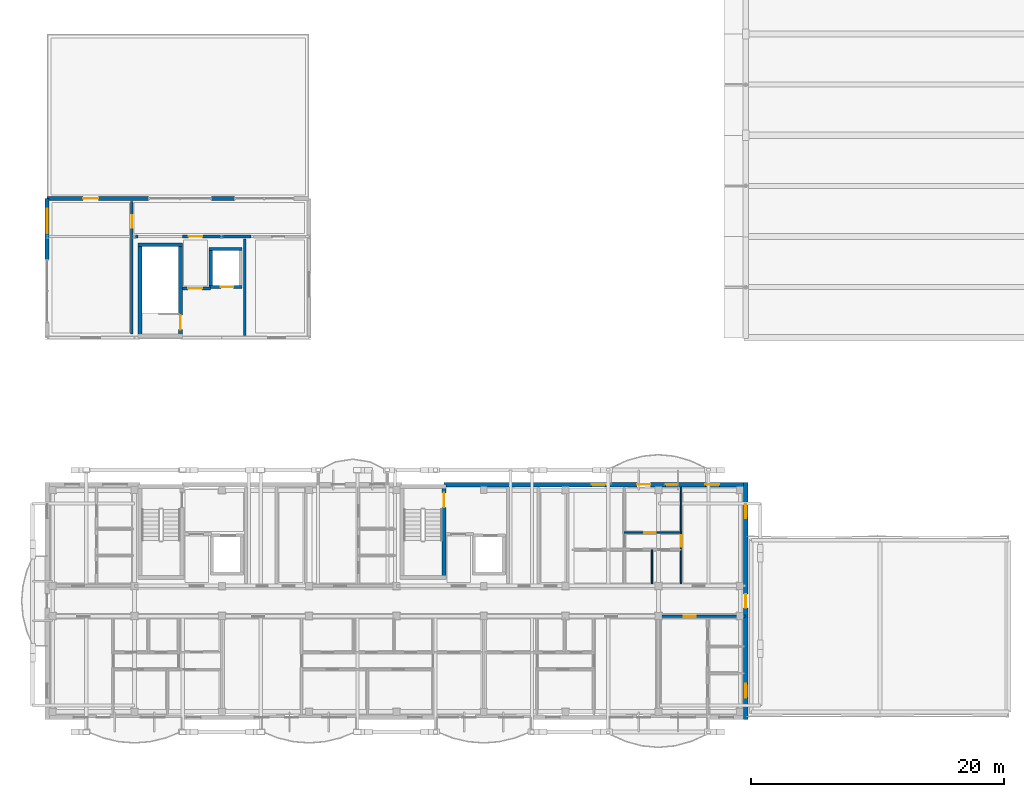
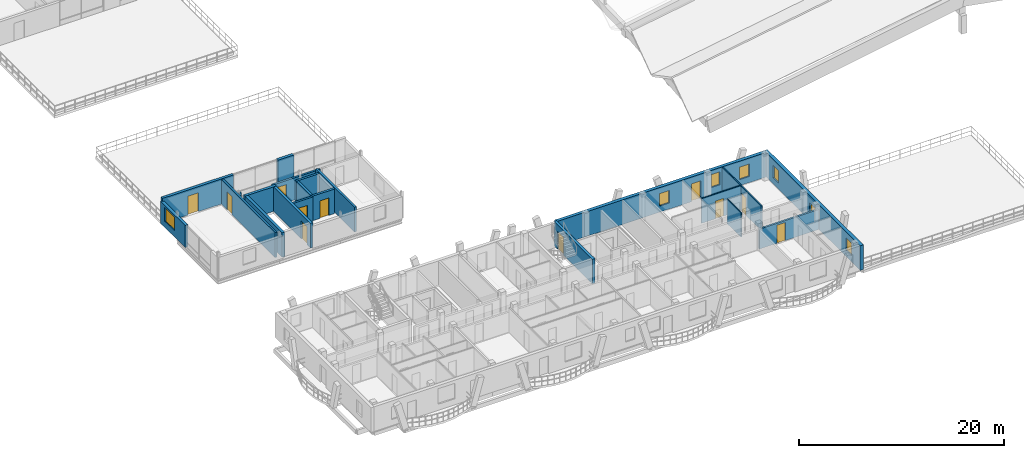
# One storey, part 68 of 109: 21 walls, 12 doors, 6 windows, 18 openings.
"""IFC4 building model written with IfcOpenShell, lengths in metres."""

from ifc_helpers import new_model, si_unit, direction, frame, frame_2d, origin, origin_with_axes, place, context, subcontext, project, spatial, rectangle, extrude, material, layer, layer_set, type_object, element, fill, save


model = new_model("IFC4")

# Units and contexts
model_context = context("Model", 3, precision=1e-05, world=origin(), true_north=direction((0.0, 1.0)))
body_context = subcontext(model_context, "Body", "Model", "MODEL_VIEW")
ifc_project = project(units=[si_unit("LENGTHUNIT", "METRE"), si_unit("AREAUNIT", "SQUARE_METRE"), si_unit("VOLUMEUNIT", "CUBIC_METRE"), si_unit("PLANEANGLEUNIT", "RADIAN"), si_unit("MASSUNIT", "GRAM", prefix="KILO")], contexts=[model_context])

# Site, building, storey
site_placement = place(None, origin())
site = spatial("IfcSite", under=ifc_project, at=site_placement, CompositionType="ELEMENT")
building_placement = place(site_placement, origin())
building = spatial("IfcBuilding", under=site, at=building_placement, Name="Zavelmont Quarter", CompositionType="ELEMENT")
storey_placement = place(building_placement, frame((0.0, 0.0, 8.0)))
storey = spatial("IfcBuildingStorey", under=building, at=storey_placement, Name="L02", CompositionType="ELEMENT", Elevation=8.0)

# Wall, openings, door, windows
ifc_material_1 = material(Name="Natural Belgian limestone", Category="masonry")
ifc_layer_1 = layer(ifc_material_1, 0.360107421875)
ifc_layer_set_1 = layer_set([ifc_layer_1], Name="Natural Belgian limestone")
wall_type_1 = type_object("IfcWallType", Name="EW02", PredefinedType="STANDARD", material=ifc_layer_set_1)
wall_1_placement = place(storey_placement, frame((31.35009765625, 18.39990234375, 0.0), z_axis=(0.0, 0.0, 1.0), x_axis=(1.0, 0.0, 0.0)))
wall_1 = element("IfcWall", 1, at=wall_1_placement, inside=storey, type_object=wall_type_1, Name="L02 exterior limestone wall EW02", PredefinedType="STANDARD", context=body_context, shape_type="SweptSolid", body=[
    extrude(rectangle(XDim=23.679931640625, YDim=0.360107421875, at=frame_2d((11.83984375, 0.0))), origin(), (0.0, 0.0, 1.0), 2.93994140625),
])
opening_1_placement = place(wall_1_placement, frame((15.27001953125, 0.0, 0.0)))
opening_1 = element("IfcOpeningElement", 2, at=opening_1_placement, cuts=wall_1, Name="Opening DR04A", PredefinedType="OPENING", context=body_context, shape_type="SweptSolid", body=[
    extrude(rectangle(XDim=1.050048828125, YDim=2.1201171875, at=frame_2d((0.52490234375, 1.06005859375))), frame((0.0, 0.19189453125, 0.0), z_axis=(0.0, -1.0, 0.0), x_axis=(1.0, 0.0, 0.0)), (0.0, 0.0, 1.0), 0.384033203125),
])
opening_2_placement = place(wall_1_placement, frame((11.669921875, 0.0, 0.719970703125)))
opening_2 = element("IfcOpeningElement", 3, at=opening_2_placement, cuts=wall_1, Name="Opening WN09", PredefinedType="OPENING", context=body_context, shape_type="SweptSolid", body=[
    extrude(rectangle(XDim=1.10009765625, YDim=1.5, at=frame_2d((0.550048828125, 0.75))), frame((0.0, 0.19189453125, 0.0), z_axis=(0.0, -1.0, 0.0), x_axis=(1.0, 0.0, 0.0)), (0.0, 0.0, 1.0), 0.384033203125),
])
opening_3_placement = place(wall_1_placement, frame((17.52001953125, 0.0, 0.89990234375)))
opening_3 = element("IfcOpeningElement", 4, at=opening_3_placement, cuts=wall_1, Name="Opening WN04", PredefinedType="OPENING", context=body_context, shape_type="SweptSolid", body=[
    extrude(rectangle(XDim=0.949951171875, YDim=1.550048828125, at=frame_2d((0.47509765625, 0.77490234375))), frame((0.0, 0.19189453125, 0.0), z_axis=(0.0, -1.0, 0.0), x_axis=(1.0, 0.0, 0.0)), (0.0, 0.0, 1.0), 0.384033203125),
])
opening_4_placement = place(wall_1_placement, frame((20.669921875, 0.0, 0.719970703125)))
opening_4 = element("IfcOpeningElement", 5, at=opening_4_placement, cuts=wall_1, Name="Opening WN09", PredefinedType="OPENING", context=body_context, shape_type="SweptSolid", body=[
    extrude(rectangle(XDim=1.10009765625, YDim=1.5, at=frame_2d((0.550048828125, 0.75))), frame((0.0, 0.19189453125, 0.0), z_axis=(0.0, -1.0, 0.0), x_axis=(1.0, 0.0, 0.0)), (0.0, 0.0, 1.0), 0.384033203125),
])
ifc_material_2 = material(Name="Thermally broken aluminium and double safety glass", Category="aluminium")
door_type_1 = type_object("IfcDoorType", Name="DR04A", OperationType="NOTDEFINED", PredefinedType="DOOR", material=ifc_material_2)
door_1_placement = place(opening_1_placement, frame((1.050048828125, 0.0, 0.0), z_axis=(0.0, 0.0, 1.0), x_axis=(-1.0, 0.0, 0.0)))
door_1 = element("IfcDoor", 6, at=door_1_placement, inside=storey, type_object=door_type_1, Name="Block A L02 glazed balcony door", OperationType="SINGLE_SWING_LEFT", OverallHeight=2.1201171875, OverallWidth=1.050048828125, PredefinedType="DOOR", context=body_context, shape_type="SweptSolid", body=[
    extrude(rectangle(XDim=1.050048828125, YDim=2.1201171875, at=frame_2d((0.52490234375, 1.06005859375))), frame((0.0, 0.02490234375, 0.0), z_axis=(0.0, -1.0, 0.0), x_axis=(1.0, 0.0, 0.0)), (0.0, 0.0, 1.0), 0.050048828125),
])
fill(opening_1, door_1)
ifc_material_3 = material(Name="Double low-E insulated glazing in thermally broken aluminium frame", Category="aluminium")
window_type_1 = type_object("IfcWindowType", Name="WN04", PartitioningType="SINGLE_PANEL", PredefinedType="WINDOW", material=ifc_material_3)
window_1_placement = place(opening_3_placement, origin_with_axes())
window_1 = element("IfcWindow", 7, at=window_1_placement, inside=storey, type_object=window_type_1, Name="L02 window WN04", OverallHeight=1.550048828125, OverallWidth=0.949951171875, PartitioningType="SINGLE_PANEL", PredefinedType="WINDOW", context=body_context, shape_type="SweptSolid", body=[
    extrude(rectangle(XDim=0.949951171875, YDim=1.550048828125, at=frame_2d((0.47509765625, 0.77490234375))), frame((0.0, 0.030029296875, 0.0), z_axis=(0.0, -1.0, 0.0), x_axis=(1.0, 0.0, 0.0)), (0.0, 0.0, 1.0), 0.06005859375),
])
fill(opening_3, window_1)
window_type_2 = type_object("IfcWindowType", Name="WN09", PartitioningType="SINGLE_PANEL", PredefinedType="WINDOW", material=ifc_material_3)
window_2_placement = place(opening_2_placement, origin_with_axes())
window_2 = element("IfcWindow", 8, at=window_2_placement, inside=storey, type_object=window_type_2, Name="L02 window WN09", OverallHeight=1.5, OverallWidth=1.10009765625, PartitioningType="SINGLE_PANEL", PredefinedType="WINDOW", context=body_context, shape_type="SweptSolid", body=[
    extrude(rectangle(XDim=1.10009765625, YDim=1.5, at=frame_2d((0.550048828125, 0.75))), frame((0.0, 0.030029296875, 0.0), z_axis=(0.0, -1.0, 0.0), x_axis=(1.0, 0.0, 0.0)), (0.0, 0.0, 1.0), 0.06005859375),
])
fill(opening_2, window_2)
window_3_placement = place(opening_4_placement, origin_with_axes())
window_3 = element("IfcWindow", 9, at=window_3_placement, inside=storey, type_object=window_type_2, Name="L02 window WN09", OverallHeight=1.5, OverallWidth=1.10009765625, PartitioningType="SINGLE_PANEL", PredefinedType="WINDOW", context=body_context, shape_type="SweptSolid", body=[
    extrude(rectangle(XDim=1.10009765625, YDim=1.5, at=frame_2d((0.550048828125, 0.75))), frame((0.0, 0.030029296875, 0.0), z_axis=(0.0, -1.0, 0.0), x_axis=(1.0, 0.0, 0.0)), (0.0, 0.0, 1.0), 0.06005859375),
])
fill(opening_4, window_3)

wall_2_placement = place(storey_placement, frame((55.199951171875, -0.179931640625, 0.0), z_axis=(0.0, 0.0, 1.0), x_axis=(0.0, 1.0, 0.0)))
wall_2 = element("IfcWall", 10, at=wall_2_placement, inside=storey, type_object=wall_type_1, Name="L02 exterior limestone wall EW02", PredefinedType="STANDARD", context=body_context, shape_type="SweptSolid", body=[
    extrude(rectangle(XDim=18.760009765625, YDim=0.360107421875, at=frame_2d((9.3798828125, 0.0))), origin(), (0.0, 0.0, 1.0), 2.93994140625),
])
opening_5_placement = place(wall_2_placement, frame((8.830078125, 0.0, 0.0)))
opening_5 = element("IfcOpeningElement", 11, at=opening_5_placement, cuts=wall_2, Name="Opening DR04B", PredefinedType="OPENING", context=body_context, shape_type="SweptSolid", body=[
    extrude(rectangle(XDim=1.10009765625, YDim=2.10009765625, at=frame_2d((0.550048828125, 1.050048828125))), frame((0.0, 0.19189453125, 0.0), z_axis=(0.0, -1.0, 0.0), x_axis=(1.0, 0.0, 0.0)), (0.0, 0.0, 1.0), 0.384033203125),
])
opening_6_placement = place(wall_2_placement, frame((1.72998046875, 0.0, 0.719970703125)))
opening_6 = element("IfcOpeningElement", 12, at=opening_6_placement, cuts=wall_2, Name="Opening WN09", PredefinedType="OPENING", context=body_context, shape_type="SweptSolid", body=[
    extrude(rectangle(XDim=1.10009765625, YDim=1.5, at=frame_2d((0.550048828125, 0.75))), frame((0.0, 0.19189453125, 0.0), z_axis=(0.0, -1.0, 0.0), x_axis=(1.0, 0.0, 0.0)), (0.0, 0.0, 1.0), 0.384033203125),
])
opening_7_placement = place(wall_2_placement, frame((15.929931640625, 0.0, 0.719970703125)))
opening_7 = element("IfcOpeningElement", 13, at=opening_7_placement, cuts=wall_2, Name="Opening WN09", PredefinedType="OPENING", context=body_context, shape_type="SweptSolid", body=[
    extrude(rectangle(XDim=1.10009765625, YDim=1.5, at=frame_2d((0.550048828125, 0.75))), frame((0.0, 0.19189453125, 0.0), z_axis=(0.0, -1.0, 0.0), x_axis=(1.0, 0.0, 0.0)), (0.0, 0.0, 1.0), 0.384033203125),
])
door_type_2 = type_object("IfcDoorType", Name="DR04B", OperationType="NOTDEFINED", PredefinedType="DOOR", material=ifc_material_2)
door_2_placement = place(opening_5_placement, origin_with_axes())
door_2 = element("IfcDoor", 14, at=door_2_placement, inside=storey, type_object=door_type_2, Name="Block A L02 street arcade link door", OperationType="SINGLE_SWING_LEFT", OverallHeight=2.10009765625, OverallWidth=1.10009765625, PredefinedType="DOOR", context=body_context, shape_type="SweptSolid", body=[
    extrude(rectangle(XDim=1.10009765625, YDim=2.10009765625, at=frame_2d((0.550048828125, 1.050048828125))), frame((0.0, 0.02490234375, 0.0), z_axis=(0.0, -1.0, 0.0), x_axis=(1.0, 0.0, 0.0)), (0.0, 0.0, 1.0), 0.050048828125),
])
fill(opening_5, door_2)
window_4_placement = place(opening_6_placement, origin_with_axes())
window_4 = element("IfcWindow", 15, at=window_4_placement, inside=storey, type_object=window_type_2, Name="L02 window WN09", OverallHeight=1.5, OverallWidth=1.10009765625, PartitioningType="SINGLE_PANEL", PredefinedType="WINDOW", context=body_context, shape_type="SweptSolid", body=[
    extrude(rectangle(XDim=1.10009765625, YDim=1.5, at=frame_2d((0.550048828125, 0.75))), frame((0.0, 0.030029296875, 0.0), z_axis=(0.0, -1.0, 0.0), x_axis=(1.0, 0.0, 0.0)), (0.0, 0.0, 1.0), 0.06005859375),
])
fill(opening_6, window_4)
window_5_placement = place(opening_7_placement, origin_with_axes())
window_5 = element("IfcWindow", 16, at=window_5_placement, inside=storey, type_object=window_type_2, Name="L02 window WN09", OverallHeight=1.5, OverallWidth=1.10009765625, PartitioningType="SINGLE_PANEL", PredefinedType="WINDOW", context=body_context, shape_type="SweptSolid", body=[
    extrude(rectangle(XDim=1.10009765625, YDim=1.5, at=frame_2d((0.550048828125, 0.75))), frame((0.0, 0.030029296875, 0.0), z_axis=(0.0, -1.0, 0.0), x_axis=(1.0, 0.0, 0.0)), (0.0, 0.0, 1.0), 0.06005859375),
])
fill(opening_7, window_5)

# Wall, opening, door
ifc_layer_2 = layer(ifc_material_1, 0.31005859375)
ifc_layer_set_2 = layer_set([ifc_layer_2], Name="Natural Belgian limestone")
wall_type_2 = type_object("IfcWallType", Name="EW06", PredefinedType="STANDARD", material=ifc_layer_set_2)
wall_3_placement = place(storey_placement, frame((0.0, 41.0, 0.0), z_axis=(0.0, 0.0, 1.0), x_axis=(1.0, 0.0, 0.0)))
wall_3 = element("IfcWall", 17, at=wall_3_placement, inside=storey, type_object=wall_type_2, Name="L02 exterior limestone wall EW06", PredefinedType="STANDARD", context=body_context, shape_type="SweptSolid", body=[
    extrude(rectangle(XDim=8.0, YDim=0.31005859375, at=frame_2d((4.0, 0.0))), origin(), (0.0, 0.0, 1.0), 2.989990234375),
])
opening_8_placement = place(wall_3_placement, frame((2.85009765625, 0.0, 0.0)))
opening_8 = element("IfcOpeningElement", 18, at=opening_8_placement, cuts=wall_3, Name="Opening DR04C", PredefinedType="OPENING", context=body_context, shape_type="SweptSolid", body=[
    extrude(rectangle(XDim=1.199951171875, YDim=2.25, at=frame_2d((0.60009765625, 1.125))), frame((0.0, 0.1669921875, 0.0), z_axis=(0.0, -1.0, 0.0), x_axis=(1.0, 0.0, 0.0)), (0.0, 0.0, 1.0), 0.333984375),
])
door_type_3 = type_object("IfcDoorType", Name="DR04C", OperationType="NOTDEFINED", PredefinedType="DOOR", material=ifc_material_2)
door_3_placement = place(opening_8_placement, origin_with_axes())
door_3 = element("IfcDoor", 19, at=door_3_placement, inside=storey, type_object=door_type_3, Name="South Roof Garden conservatory door", OperationType="SINGLE_SWING_LEFT", OverallHeight=2.25, OverallWidth=1.199951171875, PredefinedType="DOOR", context=body_context, shape_type="SweptSolid", body=[
    extrude(rectangle(XDim=1.199951171875, YDim=2.25, at=frame_2d((0.60009765625, 1.125))), frame((0.0, 0.02490234375, 0.0), z_axis=(0.0, -1.0, 0.0), x_axis=(1.0, 0.0, 0.0)), (0.0, 0.0, 1.0), 0.050048828125),
])
fill(opening_8, door_3)

# Wall
wall_4_placement = place(storey_placement, frame((13.0, 41.0, 0.0), z_axis=(0.0, 0.0, 1.0), x_axis=(1.0, 0.0, 0.0)))
element("IfcWall", 20, at=wall_4_placement, inside=storey, type_object=wall_type_2, Name="L02 exterior limestone wall EW06", PredefinedType="STANDARD", context=body_context, shape_type="SweptSolid", body=[
    extrude(rectangle(XDim=1.800048828125, YDim=0.31005859375, at=frame_2d((0.89990234375, 0.0))), origin(), (0.0, 0.0, 1.0), 2.989990234375),
])

# Wall, opening, window
wall_5_placement = place(storey_placement, frame((0.0, 36.199951171875, 0.0), z_axis=(0.0, 0.0, 1.0), x_axis=(0.0, 1.0, 0.0)))
wall_5 = element("IfcWall", 21, at=wall_5_placement, inside=storey, type_object=wall_type_2, Name="L02 exterior limestone wall EW06", PredefinedType="STANDARD", context=body_context, shape_type="SweptSolid", body=[
    extrude(rectangle(XDim=4.800048828125, YDim=0.31005859375, at=frame_2d((2.39990234375, 0.0))), origin(), (0.0, 0.0, 1.0), 2.6201171875),
])
opening_9_placement = place(wall_5_placement, frame((2.044921875, 0.0, 0.719970703125)))
opening_9 = element("IfcOpeningElement", 22, at=opening_9_placement, cuts=wall_5, Name="Opening WN24", PredefinedType="OPENING", context=body_context, shape_type="SweptSolid", body=[
    extrude(rectangle(XDim=1.949951171875, YDim=1.64990234375, at=frame_2d((0.97509765625, 0.824951171875))), frame((0.0, 0.1669921875, 0.0), z_axis=(0.0, -1.0, 0.0), x_axis=(1.0, 0.0, 0.0)), (0.0, 0.0, 1.0), 0.333984375),
])
window_type_3 = type_object("IfcWindowType", Name="WN24", PartitioningType="SINGLE_PANEL", PredefinedType="WINDOW", material=ifc_material_3)
window_6_placement = place(opening_9_placement, origin_with_axes())
window_6 = element("IfcWindow", 23, at=window_6_placement, inside=storey, type_object=window_type_3, Name="L02 window WN24", OverallHeight=1.64990234375, OverallWidth=1.949951171875, PartitioningType="SINGLE_PANEL", PredefinedType="WINDOW", context=body_context, shape_type="SweptSolid", body=[
    extrude(rectangle(XDim=1.949951171875, YDim=1.64990234375, at=frame_2d((0.97509765625, 0.824951171875))), frame((0.0, 0.030029296875, 0.0), z_axis=(0.0, -1.0, 0.0), x_axis=(1.0, 0.0, 0.0)), (0.0, 0.0, 1.0), 0.06005859375),
])
fill(opening_9, window_6)

# Wall, opening, door
ifc_material_4 = material(Name="Calcium-silicate blockwork and acoustic plaster", Category="masonry")
ifc_layer_3 = layer(ifc_material_4, 0.199951171875)
ifc_layer_set_3 = layer_set([ifc_layer_3], Name="Calcium-silicate blockwork and acoustic plaster")
wall_type_3 = type_object("IfcWallType", Name="IW01", PredefinedType="PARTITIONING", material=ifc_layer_set_3)
wall_6_placement = place(storey_placement, frame((6.699951171875, 30.300048828125, 0.0), z_axis=(0.0, 0.0, 1.0), x_axis=(0.0, 1.0, 0.0)))
wall_6 = element("IfcWall", 24, at=wall_6_placement, inside=storey, type_object=wall_type_3, Name="L02 Interior partition IW01", PredefinedType="PARTITIONING", context=body_context, shape_type="SweptSolid", body=[
    extrude(rectangle(XDim=10.449951171875, YDim=0.199951171875, at=frame_2d((5.22509765625, 0.0))), origin(), (0.0, 0.0, 1.0), 2.989990234375),
])
opening_10_placement = place(wall_6_placement, frame((8.39990234375, 0.0, 0.0)))
opening_10 = element("IfcOpeningElement", 25, at=opening_10_placement, cuts=wall_6, Name="Opening DR07", PredefinedType="OPENING", context=body_context, shape_type="SweptSolid", body=[
    extrude(rectangle(XDim=1.0, YDim=2.14990234375, at=frame_2d((0.5, 1.074951171875))), frame((0.0, 0.11181640625, 0.0), z_axis=(0.0, -1.0, 0.0), x_axis=(1.0, 0.0, 0.0)), (0.0, 0.0, 1.0), 0.223876953125),
])
ifc_material_5 = material(Name="Solid-core oak fire leaf in steel frame", Category="steel")
door_type_4 = type_object("IfcDoorType", Name="DR07", OperationType="NOTDEFINED", PredefinedType="DOOR", material=ifc_material_5)
door_4_placement = place(opening_10_placement, frame((1.0, 0.0, 0.0), z_axis=(0.0, 0.0, 1.0), x_axis=(-1.0, 0.0, 0.0)))
door_4 = element("IfcDoor", 26, at=door_4_placement, inside=storey, type_object=door_type_4, Name="L02 door DR07", OperationType="SINGLE_SWING_LEFT", OverallHeight=2.14990234375, OverallWidth=1.0, PredefinedType="DOOR", context=body_context, shape_type="SweptSolid", body=[
    extrude(rectangle(XDim=1.0, YDim=2.14990234375, at=frame_2d((0.5, 1.074951171875))), frame((0.0, 0.02490234375, 0.0), z_axis=(0.0, -1.0, 0.0), x_axis=(1.0, 0.0, 0.0)), (0.0, 0.0, 1.0), 0.050048828125),
])
fill(opening_10, door_4)

wall_7_placement = place(storey_placement, frame((48.300048828125, 8.0, 0.0), z_axis=(0.0, 0.0, 1.0), x_axis=(1.0, 0.0, 0.0)))
wall_7 = element("IfcWall", 27, at=wall_7_placement, inside=storey, type_object=wall_type_3, Name="L02 Corridor compartment wall IW01", PredefinedType="PARTITIONING", context=body_context, shape_type="SweptSolid", body=[
    extrude(rectangle(XDim=6.89990234375, YDim=0.199951171875, at=frame_2d((3.449951171875, 0.0))), origin(), (0.0, 0.0, 1.0), 2.3798828125),
])
opening_11_placement = place(wall_7_placement, frame((2.0, 0.0, 0.0)))
opening_11 = element("IfcOpeningElement", 28, at=opening_11_placement, cuts=wall_7, Name="Opening DR02", PredefinedType="OPENING", context=body_context, shape_type="SweptSolid", body=[
    extrude(rectangle(XDim=0.949951171875, YDim=2.14990234375, at=frame_2d((0.47509765625, 1.074951171875))), frame((0.0, 0.11181640625, 0.0), z_axis=(0.0, -1.0, 0.0), x_axis=(1.0, 0.0, 0.0)), (0.0, 0.0, 1.0), 0.223876953125),
])
door_type_5 = type_object("IfcDoorType", Name="DR02", OperationType="NOTDEFINED", PredefinedType="DOOR", material=ifc_material_5)
door_5_placement = place(opening_11_placement, frame((0.949951171875, 0.0, 0.0), z_axis=(0.0, 0.0, 1.0), x_axis=(-1.0, 0.0, 0.0)))
door_5 = element("IfcDoor", 29, at=door_5_placement, inside=storey, type_object=door_type_5, Name="L02 door DR02", OperationType="SINGLE_SWING_LEFT", OverallHeight=2.14990234375, OverallWidth=0.949951171875, PredefinedType="DOOR", context=body_context, shape_type="SweptSolid", body=[
    extrude(rectangle(XDim=0.949951171875, YDim=2.14990234375, at=frame_2d((0.47509765625, 1.074951171875))), frame((0.0, 0.02490234375, 0.0), z_axis=(0.0, -1.0, 0.0), x_axis=(1.0, 0.0, 0.0)), (0.0, 0.0, 1.0), 0.050048828125),
])
fill(opening_11, door_5)

# Wall
ifc_material_6 = material(Name="Reinforced masonry fire compartment wall", Category="masonry")
ifc_layer_4 = layer(ifc_material_6, 0.22509765625)
ifc_layer_set_4 = layer_set([ifc_layer_4], Name="Reinforced masonry fire compartment wall")
wall_type_4 = type_object("IfcWallType", Name="IW02", PredefinedType="PARTITIONING", material=ifc_layer_set_4)
wall_8_placement = place(storey_placement, frame((15.610107421875, 30.199951171875, 0.0), z_axis=(0.0, 0.0, 1.0), x_axis=(0.0, 1.0, 0.0)))
element("IfcWall", 30, at=wall_8_placement, inside=storey, type_object=wall_type_4, Name="L02 Firefighting lobby enclosure wall IW02", PredefinedType="PARTITIONING", context=body_context, shape_type="SweptSolid", body=[
    extrude(rectangle(XDim=7.60009765625, YDim=0.22509765625, at=frame_2d((3.800048828125, 0.0))), origin(), (0.0, 0.0, 1.0), 2.93994140625),
])

# Wall, opening, door
wall_9_placement = place(storey_placement, frame((10.699951171875, 33.89990234375, 0.0), z_axis=(0.0, 0.0, 1.0), x_axis=(1.0, 0.0, 0.0)))
wall_9 = element("IfcWall", 31, at=wall_9_placement, inside=storey, type_object=wall_type_4, Name="L02 Firefighting lobby threshold wall IW02", PredefinedType="PARTITIONING", context=body_context, shape_type="SweptSolid", body=[
    extrude(rectangle(XDim=2.199951171875, YDim=0.22509765625, at=frame_2d((1.10009765625, 0.0))), origin(), (0.0, 0.0, 1.0), 2.93994140625),
])
opening_12_placement = place(wall_9_placement, frame((0.449951171875, 0.0, 0.0)))
opening_12 = element("IfcOpeningElement", 32, at=opening_12_placement, cuts=wall_9, Name="Opening DR10", PredefinedType="OPENING", context=body_context, shape_type="SweptSolid", body=[
    extrude(rectangle(XDim=1.10009765625, YDim=2.14990234375, at=frame_2d((0.550048828125, 1.074951171875))), frame((0.0, 0.12451171875, 0.0), z_axis=(0.0, -1.0, 0.0), x_axis=(1.0, 0.0, 0.0)), (0.0, 0.0, 1.0), 0.2490234375),
])
ifc_material_7 = material(Name="Painted steel lobby fire door", Category="steel")
door_type_6 = type_object("IfcDoorType", Name="DR10", OperationType="NOTDEFINED", PredefinedType="DOOR", material=ifc_material_7)
door_6_placement = place(opening_12_placement, frame((1.10009765625, 0.0, 0.0), z_axis=(0.0, 0.0, 1.0), x_axis=(-1.0, 0.0, 0.0)))
door_6 = element("IfcDoor", 33, at=door_6_placement, inside=storey, type_object=door_type_6, Name="Firefighting lobby fire door", OperationType="SINGLE_SWING_RIGHT", OverallHeight=2.14990234375, OverallWidth=1.10009765625, PredefinedType="DOOR", context=body_context, shape_type="SweptSolid", body=[
    extrude(rectangle(XDim=1.10009765625, YDim=2.14990234375, at=frame_2d((0.550048828125, 1.074951171875))), frame((0.0, 0.02490234375, 0.0), z_axis=(0.0, -1.0, 0.0), x_axis=(1.0, 0.0, 0.0)), (0.0, 0.0, 1.0), 0.050048828125),
])
fill(opening_12, door_6)

# Wall
wall_10_placement = place(storey_placement, frame((6.89990234375, 38.0, 0.0), z_axis=(0.0, 0.0, 1.0), x_axis=(1.0, 0.0, 0.0)))
element("IfcWall", 34, at=wall_10_placement, inside=storey, type_object=wall_type_4, Name="L02 Core corridor wall IW02", PredefinedType="PARTITIONING", context=body_context, shape_type="SweptSolid", body=[
    extrude(rectangle(XDim=0.300048828125, YDim=0.22509765625, at=frame_2d((0.14990234375, 0.0))), origin(), (0.0, 0.0, 1.0), 2.93994140625),
])

# Wall, opening, door
wall_11_placement = place(storey_placement, frame((10.699951171875, 38.0, 0.0), z_axis=(0.0, 0.0, 1.0), x_axis=(1.0, 0.0, 0.0)))
wall_11 = element("IfcWall", 35, at=wall_11_placement, inside=storey, type_object=wall_type_4, Name="L02 Core corridor fire wall IW02", PredefinedType="PARTITIONING", context=body_context, shape_type="SweptSolid", body=[
    extrude(rectangle(XDim=5.400146484375, YDim=0.22509765625, at=frame_2d((2.7001953125, 0.0))), origin(), (0.0, 0.0, 1.0), 2.6201171875),
])
opening_13_placement = place(wall_11_placement, frame((0.47509765625, 0.0, 0.0)))
opening_13 = element("IfcOpeningElement", 36, at=opening_13_placement, cuts=wall_11, Name="Opening DR10", PredefinedType="OPENING", context=body_context, shape_type="SweptSolid", body=[
    extrude(rectangle(XDim=1.10009765625, YDim=2.14990234375, at=frame_2d((0.550048828125, 1.074951171875))), frame((0.0, 0.12451171875, 0.0), z_axis=(0.0, -1.0, 0.0), x_axis=(1.0, 0.0, 0.0)), (0.0, 0.0, 1.0), 0.2490234375),
])
door_7_placement = place(opening_13_placement, frame((1.10009765625, 0.0, 0.0), z_axis=(0.0, 0.0, 1.0), x_axis=(-1.0, 0.0, 0.0)))
door_7 = element("IfcDoor", 37, at=door_7_placement, inside=storey, type_object=door_type_6, Name="Core vestibule fire door", OperationType="SINGLE_SWING_LEFT", OverallHeight=2.14990234375, OverallWidth=1.10009765625, PredefinedType="DOOR", context=body_context, shape_type="SweptSolid", body=[
    extrude(rectangle(XDim=1.10009765625, YDim=2.14990234375, at=frame_2d((0.550048828125, 1.074951171875))), frame((0.0, 0.02490234375, 0.0), z_axis=(0.0, -1.0, 0.0), x_axis=(1.0, 0.0, 0.0)), (0.0, 0.0, 1.0), 0.050048828125),
])
fill(opening_13, door_7)

ifc_material_8 = material(Name="Double gypsum board on acoustic steel stud", Category="steel")
ifc_layer_5 = layer(ifc_material_8, 0.125)
ifc_layer_set_5 = layer_set([ifc_layer_5], Name="Double gypsum board on acoustic steel stud")
wall_type_5 = type_object("IfcWallType", Name="IW03", PredefinedType="PARTITIONING", material=ifc_layer_set_5)
wall_12_placement = place(storey_placement, frame((50.10009765625, 10.550048828125, 0.0), z_axis=(0.0, 0.0, 1.0), x_axis=(0.0, 1.0, 0.0)))
wall_12 = element("IfcWall", 38, at=wall_12_placement, inside=storey, type_object=wall_type_5, Name="L02 Partition IW03", PredefinedType="PARTITIONING", context=body_context, shape_type="SweptSolid", body=[
    extrude(rectangle(XDim=7.64990234375, YDim=0.125, at=frame_2d((3.824951171875, 0.0))), origin(), (0.0, 0.0, 1.0), 2.93994140625),
])
opening_14_placement = place(wall_12_placement, frame((2.949951171875, 0.0, 0.0)))
opening_14 = element("IfcOpeningElement", 39, at=opening_14_placement, cuts=wall_12, Name="Opening DR05", PredefinedType="OPENING", context=body_context, shape_type="SweptSolid", body=[
    extrude(rectangle(XDim=0.89990234375, YDim=2.10009765625, at=frame_2d((0.449951171875, 1.050048828125))), frame((0.0, 0.074462890625, 0.0), z_axis=(0.0, -1.0, 0.0), x_axis=(1.0, 0.0, 0.0)), (0.0, 0.0, 1.0), 0.14892578125),
])
ifc_material_9 = material(Name="Engineered oak flush interior door")
door_type_7 = type_object("IfcDoorType", Name="DR05", OperationType="NOTDEFINED", PredefinedType="DOOR", material=ifc_material_9)
door_8_placement = place(opening_14_placement, frame((0.89990234375, 0.0, 0.0), z_axis=(0.0, 0.0, 1.0), x_axis=(-1.0, 0.0, 0.0)))
door_8 = element("IfcDoor", 40, at=door_8_placement, inside=storey, type_object=door_type_7, Name="L02 door DR05", OperationType="SINGLE_SWING_RIGHT", OverallHeight=2.10009765625, OverallWidth=0.89990234375, PredefinedType="DOOR", context=body_context, shape_type="SweptSolid", body=[
    extrude(rectangle(XDim=0.89990234375, YDim=2.10009765625, at=frame_2d((0.449951171875, 1.050048828125))), frame((0.0, 0.02490234375, 0.0), z_axis=(0.0, -1.0, 0.0), x_axis=(1.0, 0.0, 0.0)), (0.0, 0.0, 1.0), 0.050048828125),
])
fill(opening_14, door_8)

wall_13_placement = place(storey_placement, frame((45.60009765625, 14.60009765625, 0.0), z_axis=(0.0, 0.0, 1.0), x_axis=(1.0, 0.0, 0.0)))
wall_13 = element("IfcWall", 41, at=wall_13_placement, inside=storey, type_object=wall_type_5, Name="L02 Partition IW03", PredefinedType="PARTITIONING", context=body_context, shape_type="SweptSolid", body=[
    extrude(rectangle(XDim=4.5, YDim=0.125, at=frame_2d((2.25, 0.0))), origin(), (0.0, 0.0, 1.0), 2.93994140625),
])
opening_15_placement = place(wall_13_placement, frame((1.60009765625, 0.0, 0.0)))
opening_15 = element("IfcOpeningElement", 42, at=opening_15_placement, cuts=wall_13, Name="Opening DR05", PredefinedType="OPENING", context=body_context, shape_type="SweptSolid", body=[
    extrude(rectangle(XDim=0.89990234375, YDim=2.10009765625, at=frame_2d((0.449951171875, 1.050048828125))), frame((0.0, 0.074462890625, 0.0), z_axis=(0.0, -1.0, 0.0), x_axis=(1.0, 0.0, 0.0)), (0.0, 0.0, 1.0), 0.14892578125),
])
door_9_placement = place(opening_15_placement, origin_with_axes())
door_9 = element("IfcDoor", 43, at=door_9_placement, inside=storey, type_object=door_type_7, Name="L02 door DR05", OperationType="SINGLE_SWING_LEFT", OverallHeight=2.10009765625, OverallWidth=0.89990234375, PredefinedType="DOOR", context=body_context, shape_type="SweptSolid", body=[
    extrude(rectangle(XDim=0.89990234375, YDim=2.10009765625, at=frame_2d((0.449951171875, 1.050048828125))), frame((0.0, 0.02490234375, 0.0), z_axis=(0.0, -1.0, 0.0), x_axis=(1.0, 0.0, 0.0)), (0.0, 0.0, 1.0), 0.050048828125),
])
fill(opening_15, door_9)

# Wall
ifc_material_10 = material(Name="Moisture-resistant gypsum board on steel stud", Category="steel")
ifc_layer_6 = layer(ifc_material_10, 0.10009765625)
ifc_layer_set_6 = layer_set([ifc_layer_6], Name="Moisture-resistant gypsum board on steel stud")
wall_type_6 = type_object("IfcWallType", Name="IW04", PredefinedType="PARTITIONING", material=ifc_layer_set_6)
wall_14_placement = place(storey_placement, frame((47.800048828125, 10.550048828125, 0.0), z_axis=(0.0, 0.0, 1.0), x_axis=(0.0, 1.0, 0.0)))
element("IfcWall", 44, at=wall_14_placement, inside=storey, type_object=wall_type_6, Name="L02 Partition IW04", PredefinedType="PARTITIONING", context=body_context, shape_type="SweptSolid", body=[
    extrude(rectangle(XDim=2.699951171875, YDim=0.10009765625, at=frame_2d((1.35009765625, 0.0))), origin(), (0.0, 0.0, 1.0), 2.93994140625),
])

# Wall, opening, door
ifc_material_11 = material(Name="Concrete C40/50", Category="concrete")
ifc_layer_7 = layer(ifc_material_11, 0.300048828125)
ifc_layer_set_7 = layer_set([ifc_layer_7], Name="Concrete C40/50")
wall_type_7 = type_object("IfcWallType", Name="SW01", PredefinedType="SHEAR", material=ifc_layer_set_7)
wall_15_placement = place(storey_placement, frame((31.35009765625, 10.89990234375, 0.0), z_axis=(0.0, 0.0, 1.0), x_axis=(0.0, 1.0, 0.0)))
wall_15 = element("IfcWall", 45, at=wall_15_placement, inside=storey, type_object=wall_type_7, Name="L02 ST02 lobby shear wall SW01", PredefinedType="SHEAR", context=body_context, shape_type="SweptSolid", body=[
    extrude(rectangle(XDim=7.5, YDim=0.300048828125, at=frame_2d((3.75, 0.0))), origin(), (0.0, 0.0, 1.0), 2.93994140625),
])
opening_16_placement = place(wall_15_placement, frame((5.699951171875, 0.0, 0.0)))
opening_16 = element("IfcOpeningElement", 46, at=opening_16_placement, cuts=wall_15, Name="Opening DR09", PredefinedType="OPENING", context=body_context, shape_type="SweptSolid", body=[
    extrude(rectangle(XDim=1.14990234375, YDim=2.14990234375, at=frame_2d((0.574951171875, 1.074951171875))), frame((0.0, 0.162109375, 0.0), z_axis=(0.0, -1.0, 0.0), x_axis=(1.0, 0.0, 0.0)), (0.0, 0.0, 1.0), 0.323974609375),
])
ifc_material_12 = material(Name="Painted steel stair-core fire door", Category="steel")
door_type_8 = type_object("IfcDoorType", Name="DR09", OperationType="NOTDEFINED", PredefinedType="DOOR", material=ifc_material_12)
door_10_placement = place(opening_16_placement, origin_with_axes())
door_10 = element("IfcDoor", 47, at=door_10_placement, inside=storey, type_object=door_type_8, Name="ST02 protected stair door", OperationType="SINGLE_SWING_LEFT", OverallHeight=2.14990234375, OverallWidth=1.14990234375, PredefinedType="DOOR", context=body_context, shape_type="SweptSolid", body=[
    extrude(rectangle(XDim=1.14990234375, YDim=2.14990234375, at=frame_2d((0.574951171875, 1.074951171875))), frame((0.0, 0.02490234375, 0.0), z_axis=(0.0, -1.0, 0.0), x_axis=(1.0, 0.0, 0.0)), (0.0, 0.0, 1.0), 0.050048828125),
])
fill(opening_16, door_10)

# Walls
wall_16_placement = place(storey_placement, frame((7.199951171875, 37.35009765625, 0.0), z_axis=(0.0, 0.0, 1.0), x_axis=(1.0, 0.0, 0.0)))
element("IfcWall", 48, at=wall_16_placement, inside=storey, type_object=wall_type_7, Name="L02 ST13 corridor shear wall SW01", PredefinedType="SHEAR", context=body_context, shape_type="SweptSolid", body=[
    extrude(rectangle(XDim=3.5, YDim=0.300048828125, at=frame_2d((1.75, 0.0))), origin(), (0.0, 0.0, 1.0), 2.93994140625),
])
wall_17_placement = place(storey_placement, frame((7.35009765625, 30.0, 0.0), z_axis=(0.0, 0.0, 1.0), x_axis=(0.0, 1.0, 0.0)))
element("IfcWall", 49, at=wall_17_placement, inside=storey, type_object=wall_type_7, Name="L02 ST13 west shear wall SW01", PredefinedType="SHEAR", context=body_context, shape_type="SweptSolid", body=[
    extrude(rectangle(XDim=7.5, YDim=0.300048828125, at=frame_2d((3.75, 0.0))), origin(), (0.0, 0.0, 1.0), 2.93994140625),
])

# Wall, opening, door
wall_18_placement = place(storey_placement, frame((10.550048828125, 30.0, 0.0), z_axis=(0.0, 0.0, 1.0), x_axis=(0.0, 1.0, 0.0)))
wall_18 = element("IfcWall", 50, at=wall_18_placement, inside=storey, type_object=wall_type_7, Name="L02 ST13 lobby shear wall SW01", PredefinedType="SHEAR", context=body_context, shape_type="SweptSolid", body=[
    extrude(rectangle(XDim=7.5, YDim=0.300048828125, at=frame_2d((3.75, 0.0))), origin(), (0.0, 0.0, 1.0), 2.93994140625),
])
opening_17_placement = place(wall_18_placement, frame((0.64990234375, 0.0, 0.0)))
opening_17 = element("IfcOpeningElement", 51, at=opening_17_placement, cuts=wall_18, Name="Opening DR09", PredefinedType="OPENING", context=body_context, shape_type="SweptSolid", body=[
    extrude(rectangle(XDim=1.14990234375, YDim=2.14990234375, at=frame_2d((0.574951171875, 1.074951171875))), frame((0.0, 0.162109375, 0.0), z_axis=(0.0, -1.0, 0.0), x_axis=(1.0, 0.0, 0.0)), (0.0, 0.0, 1.0), 0.323974609375),
])
door_11_placement = place(opening_17_placement, origin_with_axes())
door_11 = element("IfcDoor", 52, at=door_11_placement, inside=storey, type_object=door_type_8, Name="ST13 protected stair door", OperationType="SINGLE_SWING_RIGHT", OverallHeight=2.14990234375, OverallWidth=1.14990234375, PredefinedType="DOOR", context=body_context, shape_type="SweptSolid", body=[
    extrude(rectangle(XDim=1.14990234375, YDim=2.14990234375, at=frame_2d((0.574951171875, 1.074951171875))), frame((0.0, 0.02490234375, 0.0), z_axis=(0.0, -1.0, 0.0), x_axis=(1.0, 0.0, 0.0)), (0.0, 0.0, 1.0), 0.050048828125),
])
fill(opening_17, door_11)

ifc_layer_8 = layer(ifc_material_11, 0.25)
ifc_layer_set_8 = layer_set([ifc_layer_8], Name="Concrete C40/50")
wall_type_8 = type_object("IfcWallType", Name="SW02", PredefinedType="SHEAR", material=ifc_layer_set_8)
wall_19_placement = place(storey_placement, frame((12.800048828125, 34.02490234375, 0.0), z_axis=(0.0, 0.0, 1.0), x_axis=(1.0, 0.0, 0.0)))
wall_19 = element("IfcWall", 53, at=wall_19_placement, inside=storey, type_object=wall_type_8, Name="L02 Lift LF11 landing shaft wall SW02", PredefinedType="SHEAR", context=body_context, shape_type="SweptSolid", body=[
    extrude(rectangle(XDim=2.599853515625, YDim=0.25, at=frame_2d((1.2998046875, 0.0))), origin(), (0.0, 0.0, 1.0), 2.93994140625),
])
opening_18_placement = place(wall_19_placement, frame((0.925048828125, 0.0, 0.0)))
opening_18 = element("IfcOpeningElement", 54, at=opening_18_placement, cuts=wall_19, Name="Opening LD01", PredefinedType="OPENING", context=body_context, shape_type="SweptSolid", body=[
    extrude(rectangle(XDim=1.0, YDim=2.10009765625, at=frame_2d((0.5, 1.050048828125))), frame((0.0, 0.136962890625, 0.0), z_axis=(0.0, -1.0, 0.0), x_axis=(1.0, 0.0, 0.0)), (0.0, 0.0, 1.0), 0.27392578125),
])
ifc_material_13 = material(Name="Brushed stainless-steel automatic sliding landing door", Category="steel")
door_type_9 = type_object("IfcDoorType", Name="LD01", OperationType="SLIDING_TO_LEFT", PredefinedType="DOOR", material=ifc_material_13)
door_12_placement = place(opening_18_placement, origin_with_axes())
door_12 = element("IfcDoor", 55, at=door_12_placement, inside=storey, type_object=door_type_9, Name="Lift LF11 sliding landing door", OperationType="SLIDING_TO_LEFT", OverallHeight=2.10009765625, OverallWidth=1.0, PredefinedType="DOOR", context=body_context, shape_type="SweptSolid", body=[
    extrude(rectangle(XDim=1.0, YDim=2.10009765625, at=frame_2d((0.5, 1.050048828125))), frame((0.0, 0.02490234375, 0.0), z_axis=(0.0, -1.0, 0.0), x_axis=(1.0, 0.0, 0.0)), (0.0, 0.0, 1.0), 0.050048828125),
])
fill(opening_18, door_12)

# Walls
wall_20_placement = place(storey_placement, frame((12.800048828125, 37.02490234375, 0.0), z_axis=(0.0, 0.0, 1.0), x_axis=(1.0, 0.0, 0.0)))
element("IfcWall", 56, at=wall_20_placement, inside=storey, type_object=wall_type_8, Name="L02 Lift LF11 back shaft wall SW02", PredefinedType="SHEAR", context=body_context, shape_type="SweptSolid", body=[
    extrude(rectangle(XDim=2.599853515625, YDim=0.25, at=frame_2d((1.2998046875, 0.0))), origin(), (0.0, 0.0, 1.0), 2.93994140625),
])
wall_21_placement = place(storey_placement, frame((12.925048828125, 33.89990234375, 0.0), z_axis=(0.0, 0.0, 1.0), x_axis=(0.0, 1.0, 0.0)))
element("IfcWall", 57, at=wall_21_placement, inside=storey, type_object=wall_type_8, Name="L02 Lift LF11 west shaft wall SW02", PredefinedType="SHEAR", context=body_context, shape_type="SweptSolid", body=[
    extrude(rectangle(XDim=3.25, YDim=0.25, at=frame_2d((1.625, 0.0))), origin(), (0.0, 0.0, 1.0), 2.93994140625),
])

save(model, "model.ifc")
